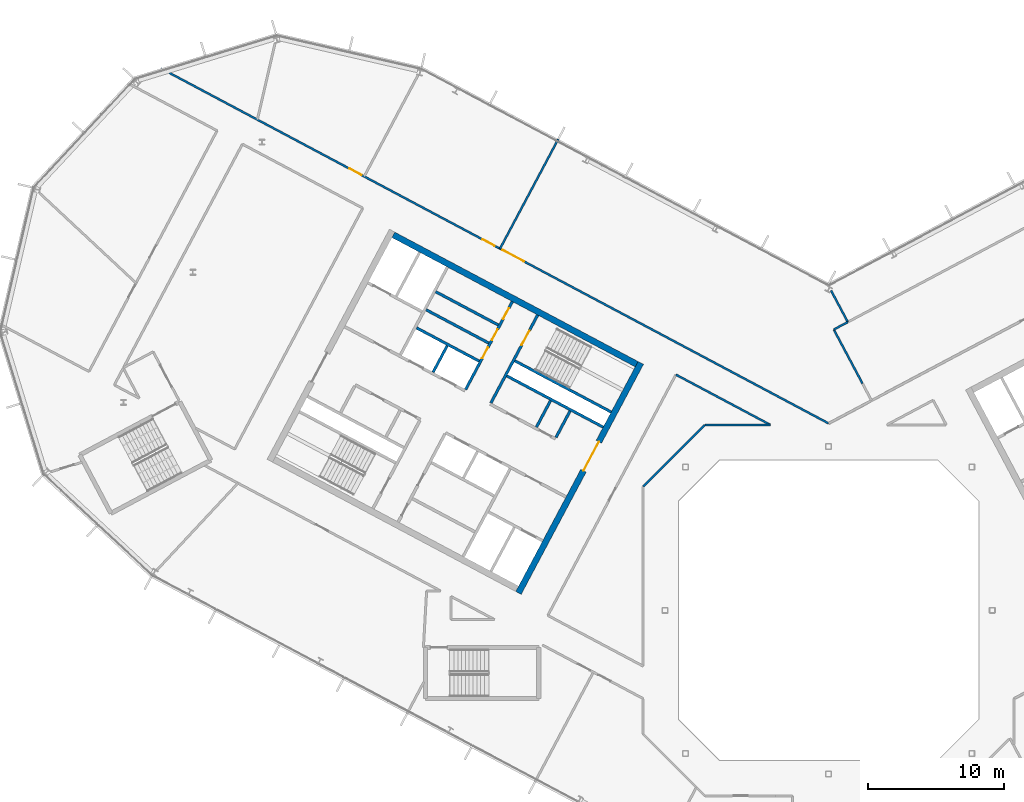
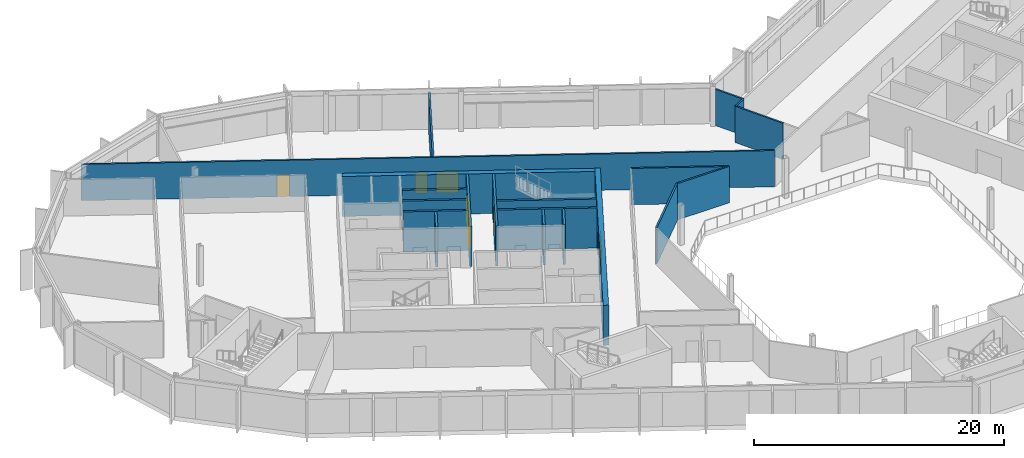
# One storey, part 15 of 26: 20 walls, 8 doors, 8 openings.
"""IFC4 building model written with IfcOpenShell, lengths in metres."""

from ifc_helpers import new_model, si_unit, direction, frame, frame_2d, origin, place, context, subcontext, project, spatial, rectangle, extrude, material, layer, layer_set, type_object, element, fill, save


model = new_model("IFC4")

# Units and contexts
model_context = context("Model", 3, precision=1e-05, world=origin(), true_north=direction((0.0, 1.0)))
body_context = subcontext(model_context, "Body", "Model", "MODEL_VIEW")
ifc_project = project(units=[si_unit("LENGTHUNIT", "METRE"), si_unit("AREAUNIT", "SQUARE_METRE"), si_unit("VOLUMEUNIT", "CUBIC_METRE"), si_unit("PLANEANGLEUNIT", "RADIAN"), si_unit("MASSUNIT", "GRAM", prefix="KILO")], contexts=[model_context])

# Site, building, storey
site_placement = place(None, origin())
site = spatial("IfcSite", under=ifc_project, at=site_placement, CompositionType="ELEMENT")
building_placement = place(site_placement, origin())
building = spatial("IfcBuilding", under=site, at=building_placement, Name="Cormorant Relay Tower", CompositionType="ELEMENT")
storey_placement = place(building_placement, frame((0.0, 0.0, 320.39990234375)))
storey = spatial("IfcBuildingStorey", under=building, at=storey_placement, Name="L73", CompositionType="ELEMENT", Elevation=320.39990234375)

# Walls
ifc_material_1 = material(Name="Concrete 40 MPa", Category="concrete")
ifc_layer_1 = layer(ifc_material_1, 0.199951171875)
ifc_layer_set_1 = layer_set([ifc_layer_1], Name="Core internal wall 200")
wall_type_1 = type_object("IfcWallType", Name="Core internal wall 200", PredefinedType="SOLIDWALL", material=ifc_layer_set_1)
for number, where, z_axis, x_axis, name in (
    (1, (-20.39013671875, 15.371826171875, 0.0), (0.0, 0.0, 1.0), (-0.4694473164, -0.882960484464, 0.0), "L73 core A shaft and room wall"),
    (2, (-27.9658203125, 19.39990234375, 0.0), (0.0, 0.0, 1.0), (-0.4694473164, -0.882960484464, 0.0), "L73 core A shaft and room wall"),
):
    element("IfcWall", number, at=place(storey_placement, frame(where, z_axis=z_axis, x_axis=x_axis)), inside=storey, type_object=wall_type_1, Name=name, PredefinedType="SOLIDWALL", context=body_context, shape_type="SweptSolid", body=[
        extrude(rectangle(XDim=2.199951171875, YDim=0.199951171875, at=frame_2d((1.10009765625, 0.0))), origin(), (0.0, 0.0, 1.0), 3.900146484375),
    ])
wall_1_placement = place(storey_placement, frame((-24.214599609375, 20.91650390625, 0.0), z_axis=(0.0, 0.0, 1.0), x_axis=(-0.882964314875, 0.469440111896, 0.0)))
element("IfcWall", 3, at=wall_1_placement, inside=storey, type_object=wall_type_1, Name="L73 core A shaft and room wall", PredefinedType="SOLIDWALL", context=body_context, shape_type="SweptSolid", body=[
    extrude(rectangle(XDim=5.2001953125, YDim=0.199951171875, at=frame_2d((2.60009765625, 0.0))), origin(), (0.0, 0.0, 1.0), 3.900146484375),
])
wall_2_placement = place(storey_placement, frame((-24.9189453125, 19.592041015625, 0.0), z_axis=(0.0, 0.0, 1.0), x_axis=(-0.882953967957, 0.469459572775, 0.0)))
element("IfcWall", 4, at=wall_2_placement, inside=storey, type_object=wall_type_1, Name="L73 core A shaft and room wall", PredefinedType="SOLIDWALL", context=body_context, shape_type="SweptSolid", body=[
    extrude(rectangle(XDim=5.199951171875, YDim=0.199951171875, at=frame_2d((2.60009765625, 0.0))), origin(), (0.0, 0.0, 1.0), 3.900146484375),
])
ifc_material_2 = material(Name="Concrete 50 MPa", Category="concrete")
ifc_layer_2 = layer(ifc_material_2, 0.199951171875)
ifc_layer_set_2 = layer_set([ifc_layer_2], Name="Core shaft wall 200")
wall_type_2 = type_object("IfcWallType", Name="Core shaft wall 200", PredefinedType="SHEAR", material=ifc_layer_set_2)
wall_3_placement = place(storey_placement, frame((-18.959716796875, 14.611328125, 0.0), z_axis=(0.0, 0.0, 1.0), x_axis=(-0.4694473164, -0.882960484464, 0.0)))
element("IfcWall", 5, at=wall_3_placement, inside=storey, type_object=wall_type_2, Name="L73 core A shaft wall", PredefinedType="SHEAR", context=body_context, shape_type="SweptSolid", body=[
    extrude(rectangle(XDim=2.199951171875, YDim=0.199951171875, at=frame_2d((1.10009765625, 0.0))), origin(), (0.0, 0.0, 1.0), 3.900146484375),
])

# Wall, opening, door
wall_4_placement = place(storey_placement, frame((-21.333251953125, 21.6494140625, 0.0), z_axis=(0.0, 0.0, 1.0), x_axis=(-0.469494272526, -0.882935517501, 0.0)))
wall_4 = element("IfcWall", 6, at=wall_4_placement, inside=storey, type_object=wall_type_2, Name="L73 core A shaft wall", PredefinedType="SHEAR", context=body_context, shape_type="SweptSolid", body=[
    extrude(rectangle(XDim=7.2998046875, YDim=0.199951171875, at=frame_2d((3.64990234375, 0.0))), origin(), (0.0, 0.0, 1.0), 3.900146484375),
])
opening_1_placement = place(wall_4_placement, frame((1.300048828125, 0.0, 0.0)))
opening_1 = element("IfcOpeningElement", 7, at=opening_1_placement, cuts=wall_4, Name="Opening CDB-038", PredefinedType="OPENING", context=body_context, shape_type="SweptSolid", body=[
    extrude(rectangle(XDim=1.199951171875, YDim=2.10009765625, at=frame_2d((0.60009765625, 1.050048828125))), frame((0.0, 0.10986328125, 0.0), z_axis=(0.0, -1.0, 0.0), x_axis=(1.0, 0.0, 0.0)), (0.0, 0.0, 1.0), 0.219970703125),
])
ifc_material_3 = material(Name="Steel fire door", Category="steel")
door_type_1 = type_object("IfcDoorType", Name="Core stair door 1200x2100", OperationType="SINGLE_SWING_LEFT", PredefinedType="DOOR", material=ifc_material_3)
door_1_placement = place(opening_1_placement, origin())
door_1 = element("IfcDoor", 8, at=door_1_placement, inside=storey, type_object=door_type_1, Name="Core stair door 1200x2100", OperationType="SINGLE_SWING_RIGHT", OverallHeight=2.10009765625, OverallWidth=1.199951171875, PredefinedType="DOOR", context=body_context, shape_type="SweptSolid", body=[
    extrude(rectangle(XDim=1.199951171875, YDim=2.10009765625, at=frame_2d((0.60009765625, 1.050048828125))), frame((0.0, 0.02490234375, 0.0), z_axis=(0.0, -1.0, 0.0), x_axis=(1.0, 0.0, 0.0)), (0.0, 0.0, 1.0), 0.050048828125),
])
fill(opening_1, door_1)

# Wall, openings, doors
wall_5_placement = place(storey_placement, frame((-23.1875, 22.635498046875, 0.0), z_axis=(0.0, 0.0, 1.0), x_axis=(-0.469454336211, -0.882956752176, 0.0)))
wall_5 = element("IfcWall", 9, at=wall_5_placement, inside=storey, type_object=wall_type_2, Name="L73 core A shaft wall", PredefinedType="SHEAR", context=body_context, shape_type="SweptSolid", body=[
    extrude(rectangle(XDim=7.300048828125, YDim=0.199951171875, at=frame_2d((3.64990234375, 0.0))), origin(), (0.0, 0.0, 1.0), 3.900146484375),
])
opening_2_placement = place(wall_5_placement, frame((0.550048828125, 0.0, 0.0)))
opening_2 = element("IfcOpeningElement", 10, at=opening_2_placement, cuts=wall_5, Name="Opening CDD-257", PredefinedType="OPENING", context=body_context, shape_type="SweptSolid", body=[
    extrude(rectangle(XDim=0.89990234375, YDim=2.10009765625, at=frame_2d((0.449951171875, 1.050048828125))), frame((0.0, 0.10986328125, 0.0), z_axis=(0.0, -1.0, 0.0), x_axis=(1.0, 0.0, 0.0)), (0.0, 0.0, 1.0), 0.219970703125),
])
opening_3_placement = place(wall_5_placement, frame((2.300048828125, 0.0, 0.0)))
opening_3 = element("IfcOpeningElement", 11, at=opening_3_placement, cuts=wall_5, Name="Opening CDD-258", PredefinedType="OPENING", context=body_context, shape_type="SweptSolid", body=[
    extrude(rectangle(XDim=0.89990234375, YDim=2.10009765625, at=frame_2d((0.449951171875, 1.050048828125))), frame((0.0, 0.10986328125, 0.0), z_axis=(0.0, -1.0, 0.0), x_axis=(1.0, 0.0, 0.0)), (0.0, 0.0, 1.0), 0.219970703125),
])
opening_4_placement = place(wall_5_placement, frame((3.800048828125, 0.0, 0.0)))
opening_4 = element("IfcOpeningElement", 12, at=opening_4_placement, cuts=wall_5, Name="Opening CDD-259", PredefinedType="OPENING", context=body_context, shape_type="SweptSolid", body=[
    extrude(rectangle(XDim=0.89990234375, YDim=2.10009765625, at=frame_2d((0.449951171875, 1.050048828125))), frame((0.0, 0.10986328125, 0.0), z_axis=(0.0, -1.0, 0.0), x_axis=(1.0, 0.0, 0.0)), (0.0, 0.0, 1.0), 0.219970703125),
])
ifc_material_4 = material(Name="Steel fire door", Category="steel")
door_type_2 = type_object("IfcDoorType", Name="Core room door 900x2100", OperationType="SINGLE_SWING_LEFT", PredefinedType="DOOR", material=ifc_material_4)
door_2_placement = place(opening_2_placement, origin())
door_2 = element("IfcDoor", 13, at=door_2_placement, inside=storey, type_object=door_type_2, Name="Core room door 900x2100", OperationType="SINGLE_SWING_LEFT", OverallHeight=2.10009765625, OverallWidth=0.89990234375, PredefinedType="DOOR", context=body_context, shape_type="SweptSolid", body=[
    extrude(rectangle(XDim=0.89990234375, YDim=2.10009765625, at=frame_2d((0.449951171875, 1.050048828125))), frame((0.0, 0.02490234375, 0.0), z_axis=(0.0, -1.0, 0.0), x_axis=(1.0, 0.0, 0.0)), (0.0, 0.0, 1.0), 0.050048828125),
])
fill(opening_2, door_2)
door_3_placement = place(opening_3_placement, origin())
door_3 = element("IfcDoor", 14, at=door_3_placement, inside=storey, type_object=door_type_2, Name="Core room door 900x2100", OperationType="SINGLE_SWING_LEFT", OverallHeight=2.10009765625, OverallWidth=0.89990234375, PredefinedType="DOOR", context=body_context, shape_type="SweptSolid", body=[
    extrude(rectangle(XDim=0.89990234375, YDim=2.10009765625, at=frame_2d((0.449951171875, 1.050048828125))), frame((0.0, 0.02490234375, 0.0), z_axis=(0.0, -1.0, 0.0), x_axis=(1.0, 0.0, 0.0)), (0.0, 0.0, 1.0), 0.050048828125),
])
fill(opening_3, door_3)
door_4_placement = place(opening_4_placement, origin())
door_4 = element("IfcDoor", 15, at=door_4_placement, inside=storey, type_object=door_type_2, Name="Core room door 900x2100", OperationType="SINGLE_SWING_LEFT", OverallHeight=2.10009765625, OverallWidth=0.89990234375, PredefinedType="DOOR", context=body_context, shape_type="SweptSolid", body=[
    extrude(rectangle(XDim=0.89990234375, YDim=2.10009765625, at=frame_2d((0.449951171875, 1.050048828125))), frame((0.0, 0.02490234375, 0.0), z_axis=(0.0, -1.0, 0.0), x_axis=(1.0, 0.0, 0.0)), (0.0, 0.0, 1.0), 0.050048828125),
])
fill(opening_4, door_4)

# Walls
wall_6_placement = place(storey_placement, frame((-15.94189453125, 14.53564453125, 0.0), z_axis=(0.0, 0.0, 1.0), x_axis=(-0.882946947542, 0.469472776449, 0.0)))
element("IfcWall", 16, at=wall_6_placement, inside=storey, type_object=wall_type_2, Name="L73 core A shaft wall", PredefinedType="SHEAR", context=body_context, shape_type="SweptSolid", body=[
    extrude(rectangle(XDim=8.000244140625, YDim=0.199951171875, at=frame_2d((4.0, 0.0))), origin(), (0.0, 0.0, 1.0), 3.900146484375),
])
wall_7_placement = place(storey_placement, frame((-16.52880859375, 13.43212890625, 0.0), z_axis=(0.0, 0.0, 1.0), x_axis=(-0.88295287151, 0.469461634952, 0.0)))
element("IfcWall", 17, at=wall_7_placement, inside=storey, type_object=wall_type_2, Name="L73 core A shaft wall", PredefinedType="SHEAR", context=body_context, shape_type="SweptSolid", body=[
    extrude(rectangle(XDim=7.999755859375, YDim=0.199951171875, at=frame_2d((4.0, 0.0))), origin(), (0.0, 0.0, 1.0), 3.900146484375),
])
wall_8_placement = place(storey_placement, frame((-25.623046875, 18.267578125, 0.0), z_axis=(0.0, 0.0, 1.0), x_axis=(-0.882953967957, 0.469459572775, 0.0)))
element("IfcWall", 18, at=wall_8_placement, inside=storey, type_object=wall_type_2, Name="L73 core A shaft wall", PredefinedType="SHEAR", context=body_context, shape_type="SweptSolid", body=[
    extrude(rectangle(XDim=5.199951171875, YDim=0.199951171875, at=frame_2d((2.60009765625, 0.0))), origin(), (0.0, 0.0, 1.0), 3.900146484375),
])

# Wall, opening, door
ifc_material_5 = material(Name="Concrete 50 MPa", Category="concrete")
ifc_layer_3 = layer(ifc_material_5, 0.449951171875)
ifc_layer_set_3 = layer_set([ifc_layer_3], Name="Core wall 450")
wall_type_3 = type_object("IfcWallType", Name="Core wall 450", PredefinedType="SHEAR", material=ifc_layer_set_3)
wall_9_placement = place(storey_placement, frame((-13.771484375, 18.138427734375, 0.0), z_axis=(0.0, 0.0, 1.0), x_axis=(-0.469467968382, -0.882949504028, 0.0)))
wall_9 = element("IfcWall", 19, at=wall_9_placement, inside=storey, type_object=wall_type_3, Name="L73 core A wall", PredefinedType="SHEAR", context=body_context, shape_type="SweptSolid", body=[
    extrude(rectangle(XDim=19.099853515625, YDim=0.449951171875, at=frame_2d((9.5498046875, 0.0))), origin(), (0.0, 0.0, 1.0), 3.900146484375),
])
opening_5_placement = place(wall_9_placement, frame((6.550048828125, 0.0, 0.0)))
opening_5 = element("IfcOpeningElement", 20, at=opening_5_placement, cuts=wall_9, Name="Opening CDA-054", PredefinedType="OPENING", context=body_context, shape_type="SweptSolid", body=[
    extrude(rectangle(XDim=2.39990234375, YDim=2.39990234375, at=frame_2d((1.199951171875, 1.199951171875))), frame((0.0, 0.23486328125, 0.0), z_axis=(0.0, -1.0, 0.0), x_axis=(1.0, 0.0, 0.0)), (0.0, 0.0, 1.0), 0.469970703125),
])
ifc_material_6 = material(Name="Steel fire door", Category="steel")
door_type_3 = type_object("IfcDoorType", Name="Core lobby door 2400x2400", OperationType="DOUBLE_DOOR_SINGLE_SWING", PredefinedType="DOOR", material=ifc_material_6)
door_5_placement = place(opening_5_placement, frame((2.39990234375, 0.0, 0.0), z_axis=(0.0, 0.0, 1.0), x_axis=(-1.0, 0.0, 0.0)))
door_5 = element("IfcDoor", 21, at=door_5_placement, inside=storey, type_object=door_type_3, Name="Core lobby door 2400x2400", OperationType="DOUBLE_DOOR_SINGLE_SWING", OverallHeight=2.39990234375, OverallWidth=2.39990234375, PredefinedType="DOOR", context=body_context, shape_type="SweptSolid", body=[
    extrude(rectangle(XDim=2.39990234375, YDim=2.39990234375, at=frame_2d((1.199951171875, 1.199951171875))), frame((0.0, 0.02490234375, 0.0), z_axis=(0.0, -1.0, 0.0), x_axis=(1.0, 0.0, 0.0)), (0.0, 0.0, 1.0), 0.050048828125),
])
fill(opening_5, door_5)

# Wall
wall_10_placement = place(storey_placement, frame((-14.07568359375, 18.04541015625, 0.0), z_axis=(0.0, 0.0, 1.0), x_axis=(-0.882947755831, 0.46947125628, 0.0)))
element("IfcWall", 22, at=wall_10_placement, inside=storey, type_object=wall_type_3, Name="L73 core A wall", PredefinedType="SHEAR", context=body_context, shape_type="SweptSolid", body=[
    extrude(rectangle(XDim=20.2001953125, YDim=0.449951171875, at=frame_2d((10.10009765625, 0.0))), origin(), (0.0, 0.0, 1.0), 3.900146484375),
])

# Wall, openings, doors
ifc_material_7 = material(Name="Gypsum board fire partition")
ifc_layer_4 = layer(ifc_material_7, 0.14990234375)
ifc_layer_set_4 = layer_set([ifc_layer_4], Name="Corridor partition 150 EI 60")
wall_type_4 = type_object("IfcWallType", Name="Corridor partition 150 EI 60", PredefinedType="PARTITIONING", material=ifc_layer_set_4)
wall_11_placement = place(storey_placement, frame((-48.947021484375, 39.72998046875, 0.0), z_axis=(0.0, 0.0, 1.0), x_axis=(0.882945454821, -0.469475583828, 0.0)))
wall_11 = element("IfcWall", 23, at=wall_11_placement, inside=storey, type_object=wall_type_4, Name="wall/L73/part/007", PredefinedType="PARTITIONING", context=body_context, shape_type="SweptSolid", body=[
    extrude(rectangle(XDim=55.43603515625, YDim=0.14990234375, at=frame_2d((27.718017578125, 0.0))), origin(), (0.0, 0.0, 1.0), 3.5400390625),
])
opening_6_placement = place(wall_11_placement, frame((28.35009765625, 0.0, 0.0)))
opening_6 = element("IfcOpeningElement", 24, at=opening_6_placement, cuts=wall_11, Name="Opening DD-027", PredefinedType="OPENING", context=body_context, shape_type="SweptSolid", body=[
    extrude(rectangle(XDim=1.800048828125, YDim=2.10009765625, at=frame_2d((0.89990234375, 1.050048828125))), frame((0.0, 0.0849609375, 0.0), z_axis=(0.0, -1.0, 0.0), x_axis=(1.0, 0.0, 0.0)), (0.0, 0.0, 1.0), 0.169921875),
])
opening_7_placement = place(wall_11_placement, frame((26.699951171875, 0.0, 0.0)))
opening_7 = element("IfcOpeningElement", 25, at=opening_7_placement, cuts=wall_11, Name="Opening DS-281", PredefinedType="OPENING", context=body_context, shape_type="SweptSolid", body=[
    extrude(rectangle(XDim=1.0, YDim=2.10009765625, at=frame_2d((0.5, 1.050048828125))), frame((0.0, 0.0849609375, 0.0), z_axis=(0.0, -1.0, 0.0), x_axis=(1.0, 0.0, 0.0)), (0.0, 0.0, 1.0), 0.169921875),
])
opening_8_placement = place(wall_11_placement, frame((15.64990234375, 0.0, 0.0)))
opening_8 = element("IfcOpeningElement", 26, at=opening_8_placement, cuts=wall_11, Name="Opening DS-149", PredefinedType="OPENING", context=body_context, shape_type="SweptSolid", body=[
    extrude(rectangle(XDim=1.0, YDim=2.10009765625, at=frame_2d((0.5, 1.050048828125))), frame((0.0, 0.0849609375, 0.0), z_axis=(0.0, -1.0, 0.0), x_axis=(1.0, 0.0, 0.0)), (0.0, 0.0, 1.0), 0.169921875),
])
ifc_material_8 = material(Name="Timber door leaf", Category="wood")
door_type_4 = type_object("IfcDoorType", Name="Suite door 1000x2100", OperationType="SINGLE_SWING_LEFT", PredefinedType="DOOR", material=ifc_material_8)
door_6_placement = place(opening_7_placement, origin())
door_6 = element("IfcDoor", 27, at=door_6_placement, inside=storey, type_object=door_type_4, Name="door/L73/014", OperationType="SINGLE_SWING_RIGHT", OverallHeight=2.10009765625, OverallWidth=1.0, PredefinedType="DOOR", context=body_context, shape_type="SweptSolid", body=[
    extrude(rectangle(XDim=1.0, YDim=2.10009765625, at=frame_2d((0.5, 1.050048828125))), frame((0.0, 0.02490234375, 0.0), z_axis=(0.0, -1.0, 0.0), x_axis=(1.0, 0.0, 0.0)), (0.0, 0.0, 1.0), 0.050048828125),
])
fill(opening_7, door_6)
door_7_placement = place(opening_8_placement, origin())
door_7 = element("IfcDoor", 28, at=door_7_placement, inside=storey, type_object=door_type_4, Name="door/L73/015", OperationType="SINGLE_SWING_RIGHT", OverallHeight=2.10009765625, OverallWidth=1.0, PredefinedType="DOOR", context=body_context, shape_type="SweptSolid", body=[
    extrude(rectangle(XDim=1.0, YDim=2.10009765625, at=frame_2d((0.5, 1.050048828125))), frame((0.0, 0.02490234375, 0.0), z_axis=(0.0, -1.0, 0.0), x_axis=(1.0, 0.0, 0.0)), (0.0, 0.0, 1.0), 0.050048828125),
])
fill(opening_8, door_7)
ifc_material_9 = material(Name="Timber door leaf", Category="wood")
door_type_5 = type_object("IfcDoorType", Name="Suite double door 1800x2100", OperationType="DOUBLE_DOOR_SINGLE_SWING", PredefinedType="DOOR", material=ifc_material_9)
door_8_placement = place(opening_6_placement, origin())
door_8 = element("IfcDoor", 29, at=door_8_placement, inside=storey, type_object=door_type_5, Name="door/L73/013", OperationType="DOUBLE_DOOR_SINGLE_SWING", OverallHeight=2.10009765625, OverallWidth=1.800048828125, PredefinedType="DOOR", context=body_context, shape_type="SweptSolid", body=[
    extrude(rectangle(XDim=1.800048828125, YDim=2.10009765625, at=frame_2d((0.89990234375, 1.050048828125))), frame((0.0, 0.02490234375, 0.0), z_axis=(0.0, -1.0, 0.0), x_axis=(1.0, 0.0, 0.0)), (0.0, 0.0, 1.0), 0.050048828125),
])
fill(opening_6, door_8)

# Walls
wall_12_placement = place(storey_placement, frame((-11.197998046875, 17.280029296875, 0.0), z_axis=(0.0, 0.0, 1.0), x_axis=(0.882946288452, -0.46947401601, 0.0)))
element("IfcWall", 30, at=wall_12_placement, inside=storey, type_object=wall_type_4, Name="wall/L73/part/052", PredefinedType="PARTITIONING", context=body_context, shape_type="SweptSolid", body=[
    extrude(rectangle(XDim=7.83837890625, YDim=0.14990234375, at=frame_2d((3.919189453125, 0.0))), origin(), (0.0, 0.0, 1.0), 3.5400390625),
])
wall_13_placement = place(storey_placement, frame((-4.277099609375, 13.60009765625, 0.0), z_axis=(0.0, 0.0, 1.0), x_axis=(-1.0, 0.0, 0.0)))
element("IfcWall", 31, at=wall_13_placement, inside=storey, type_object=wall_type_4, Name="wall/L73/part/053", PredefinedType="PARTITIONING", context=body_context, shape_type="SweptSolid", body=[
    extrude(rectangle(XDim=4.7998046875, YDim=0.14990234375, at=frame_2d((2.39990234375, 0.0))), origin(), (0.0, 0.0, 1.0), 3.5400390625),
])
wall_14_placement = place(storey_placement, frame((-9.076904296875, 13.60009765625, 0.0), z_axis=(0.0, 0.0, 1.0), x_axis=(-0.707106781187, -0.707106781187, 0.0)))
element("IfcWall", 32, at=wall_14_placement, inside=storey, type_object=wall_type_4, Name="wall/L73/part/054", PredefinedType="PARTITIONING", context=body_context, shape_type="SweptSolid", body=[
    extrude(rectangle(XDim=6.396728515625, YDim=0.14990234375, at=frame_2d((3.1982421875, 0.0))), origin(), (0.0, 0.0, 1.0), 3.5400390625),
])
ifc_material_10 = material(Name="Gypsum board partition")
ifc_layer_5 = layer(ifc_material_10, 0.14990234375)
ifc_layer_set_5 = layer_set([ifc_layer_5], Name="Tenant partition 150")
wall_type_5 = type_object("IfcWallType", Name="Tenant partition 150", PredefinedType="PARTITIONING", material=ifc_layer_set_5)
wall_15_placement = place(storey_placement, frame((-19.822021484375, 34.550048828125, 0.0), z_axis=(0.0, 0.0, 1.0), x_axis=(-0.46943766298, -0.882965616871, 0.0)))
element("IfcWall", 33, at=wall_15_placement, inside=storey, type_object=wall_type_5, Name="wall/L73/part/019", PredefinedType="PARTITIONING", context=body_context, shape_type="SweptSolid", body=[
    extrude(rectangle(XDim=9.10009765625, YDim=0.14990234375, at=frame_2d((4.550048828125, 0.0))), origin(), (0.0, 0.0, 1.0), 3.5400390625),
])
wall_16_placement = place(storey_placement, frame((0.177978515625, 23.449951171875, 0.0), z_axis=(0.0, 0.0, 1.0), x_axis=(0.469495603372, -0.882934809833, 0.0)))
element("IfcWall", 34, at=wall_16_placement, inside=storey, type_object=wall_type_5, Name="wall/L73/part/033", PredefinedType="PARTITIONING", context=body_context, shape_type="SweptSolid", body=[
    extrude(rectangle(XDim=2.621826171875, YDim=0.14990234375, at=frame_2d((1.31103515625, 0.0))), origin(), (0.0, 0.0, 1.0), 3.5400390625),
])
wall_17_placement = place(storey_placement, frame((2.487060546875, 16.6240234375, 0.0), z_axis=(0.0, 0.0, 1.0), x_axis=(-0.469563370993, 0.882898771447, 0.0)))
element("IfcWall", 35, at=wall_17_placement, inside=storey, type_object=wall_type_5, Name="wall/L73/part/036", PredefinedType="PARTITIONING", context=body_context, shape_type="SweptSolid", body=[
    extrude(rectangle(XDim=4.489501953125, YDim=0.14990234375, at=frame_2d((2.24462890625, 0.0))), origin(), (0.0, 0.0, 1.0), 3.5400390625),
])
wall_18_placement = place(storey_placement, frame((1.405029296875, 21.133056640625, 0.0), z_axis=(0.0, 0.0, 1.0), x_axis=(-0.882753784089, -0.469835882704, 0.0)))
element("IfcWall", 36, at=wall_18_placement, inside=storey, type_object=wall_type_5, Name="wall/L73/part/037", PredefinedType="PARTITIONING", context=body_context, shape_type="SweptSolid", body=[
    extrude(rectangle(XDim=1.162353515625, YDim=0.14990234375, at=frame_2d((0.5810546875, 0.0))), origin(), (0.0, 0.0, 1.0), 3.5400390625),
])

save(model, "model.ifc")
